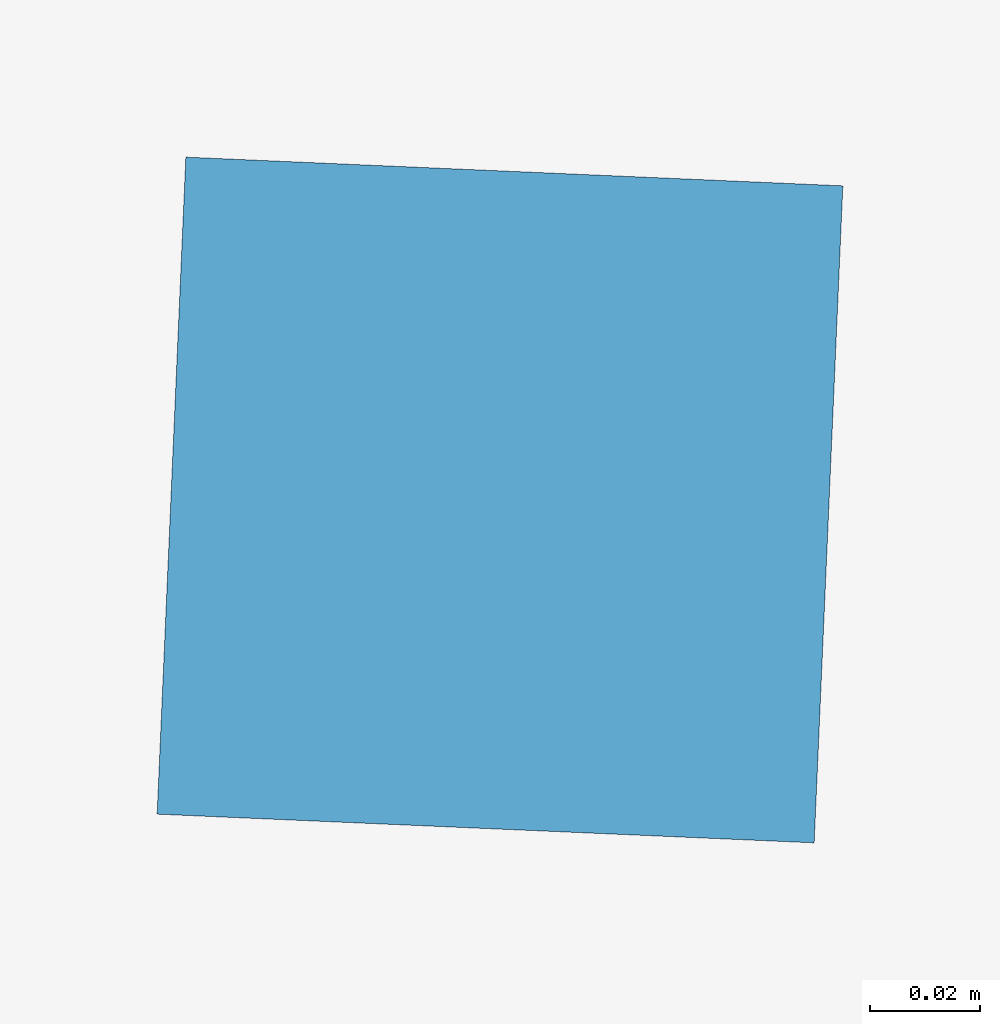
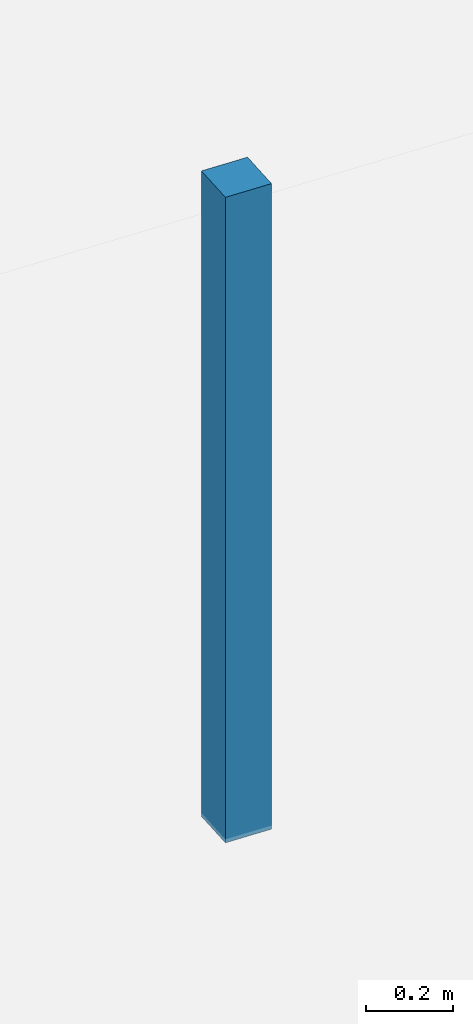
# One storey, part 24 of 27: 1 discrete accessory.
"""IFC4 building model written with IfcOpenShell, lengths in metres."""

from ifc_helpers import new_model, si_unit, direction, frame, origin, origin_2d, place, context, subcontext, project, spatial, rectangle, extrude, source, transform, mapped, material, type_object, element, save


model = new_model("IFC4")

# Units and contexts
model_context = context("Model", 3, precision=1e-05, world=origin(), true_north=direction((0.0, 1.0)))
body_context = subcontext(model_context, "Body", "Model", "MODEL_VIEW")
ifc_project = project(units=[si_unit("LENGTHUNIT", "METRE"), si_unit("AREAUNIT", "SQUARE_METRE"), si_unit("VOLUMEUNIT", "CUBIC_METRE"), si_unit("PLANEANGLEUNIT", "RADIAN"), si_unit("MASSUNIT", "GRAM", prefix="KILO")], contexts=[model_context])

# Site, building, storey
site_placement = place(None, origin())
site = spatial("IfcSite", under=ifc_project, at=site_placement, CompositionType="ELEMENT")
building_placement = place(site_placement, origin())
building = spatial("IfcBuilding", under=site, at=building_placement, Name="Torre Montelarca", CompositionType="ELEMENT")
storey_placement = place(building_placement, frame((0.0, 0.0, 37.60009765625)))
storey = spatial("IfcBuildingStorey", under=building, at=storey_placement, Name="L08", CompositionType="ELEMENT", Elevation=37.60009765625)

# Discrete accessory
ifc_material = material(Name="Galvanized steel suspension hanger", Category="steel")
discrete_accessory_type = type_object("IfcDiscreteAccessoryType", Name="ACC-CEIL-HNG", PredefinedType="BRACKET", material=ifc_material)
shared_shape = source(origin(), body_context, "Body", "SweptSolid", [
    extrude(rectangle(XDim=0.1201171875, YDim=0.1201171875, at=origin_2d()), origin(), (0.0, 0.0, 1.0), 1.820068359375),
])
discrete_accessory_placement = place(storey_placement, frame((32.181884765625, 35.937744140625, 2.759765625), z_axis=(0.0, 0.0, 1.0), x_axis=(-0.999048221582, 0.043619387365, 0.0)))
element("IfcDiscreteAccessory", 1, at=discrete_accessory_placement, inside=storey, type_object=discrete_accessory_type, Name="L08 Suspended Ceiling Hanger Bracket 01", PredefinedType="BRACKET", context=body_context, shape_type="MappedRepresentation", body=[
    mapped(shared_shape, transform((0.0, 0.0, 0.0), scale=1.0)),
])

save(model, "model.ifc")
